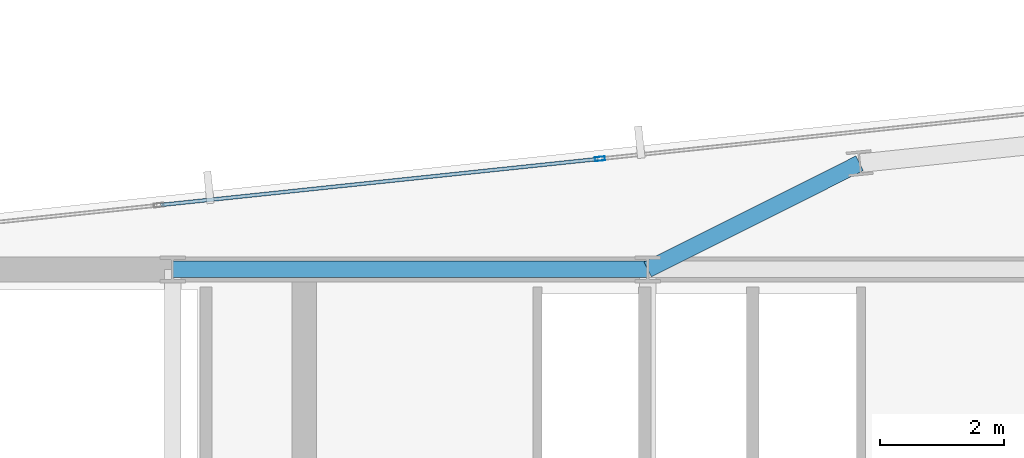
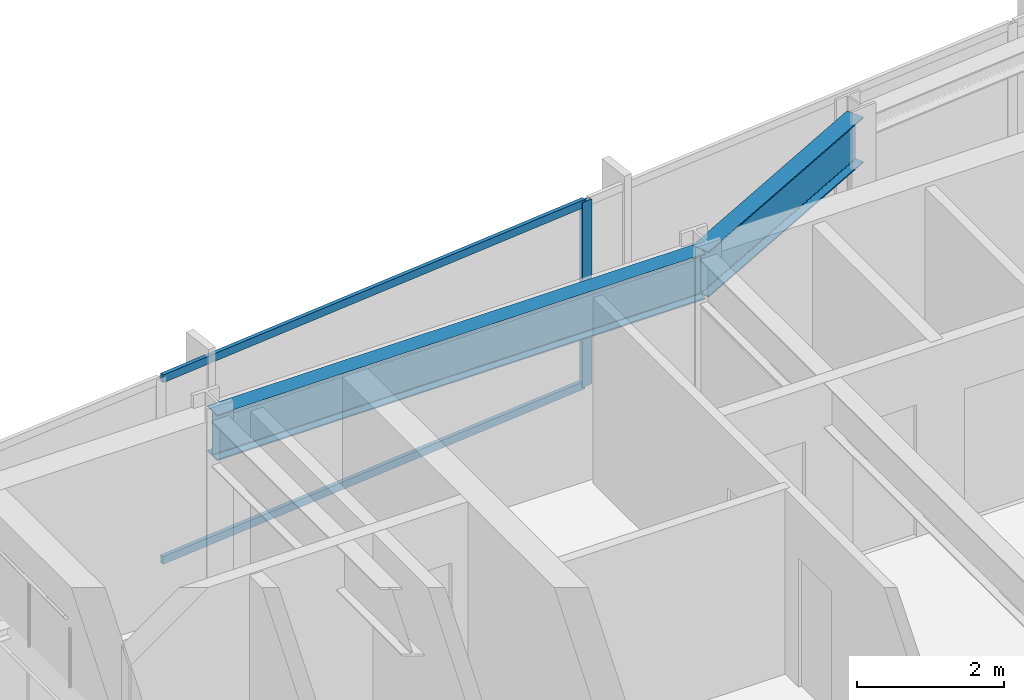
# One storey, part 21 of 33: 3 members, 2 beams, 1 element without a shape of its own.
"""IFC4 building model written with IfcOpenShell, lengths in metres."""

from ifc_helpers import new_model, si_unit, direction, frame, origin, origin_2d, place, context, subcontext, project, spatial, hollow_rectangle, i_section, extrude, material, material_profile, profile_set, type_object, element, aggregate, save


model = new_model("IFC4")

# Units and contexts
model_context = context("Model", 3, precision=1e-05, world=origin(), true_north=direction((0.0, 1.0)))
body_context = subcontext(model_context, "Body", "Model", "MODEL_VIEW")
ifc_project = project(units=[si_unit("LENGTHUNIT", "METRE"), si_unit("AREAUNIT", "SQUARE_METRE"), si_unit("VOLUMEUNIT", "CUBIC_METRE"), si_unit("PLANEANGLEUNIT", "RADIAN"), si_unit("MASSUNIT", "GRAM", prefix="KILO")], contexts=[model_context])

# Site, building, storey
site_placement = place(None, origin())
site = spatial("IfcSite", under=ifc_project, at=site_placement, CompositionType="ELEMENT")
building_placement = place(site_placement, origin())
building = spatial("IfcBuilding", under=site, at=building_placement, Name="Yelkora Congress Tower", CompositionType="ELEMENT")
storey_placement = place(building_placement, frame((0.0, 0.0, 234.199951171875)))
storey = spatial("IfcBuildingStorey", under=building, at=storey_placement, Name="L65", CompositionType="ELEMENT", Elevation=234.199951171875)

# Beams
ifc_material_1 = material(Name="Steel S355J2", Category="steel")
ifc_material_profile_1 = material_profile(ifc_material_1, i_section(OverallWidth=0.26708984375, OverallDepth=0.761962890625, WebThickness=0.014404296875, FlangeThickness=0.021484375, FilletRadius=0.01708984375, at=origin_2d()), Name="IPE 750x173")
ifc_profile_set_1 = profile_set([ifc_material_profile_1], Name="Steel S355J2")
beam_type = type_object("IfcBeamType", Name="BM-GIRD-IPE750", PredefinedType="BEAM", material=ifc_profile_set_1)
beam_1_placement = place(storey_placement, frame((30.719970703125, 46.199951171875, 2.698974609375), z_axis=(1.0, 0.0, 0.0), x_axis=(0.0, 1.0, 0.0)))
element("IfcBeam", 1, at=beam_1_placement, inside=storey, type_object=beam_type, Name="L65 Core North Girder 3", PredefinedType="BEAM", context=body_context, shape_type="SweptSolid", body=[
    extrude(i_section(OverallWidth=0.26708984375, OverallDepth=0.761962890625, WebThickness=0.014404296875, FlangeThickness=0.021484375, FilletRadius=0.01708984375, at=origin_2d()), origin(), (0.0, 0.0, 1.0), 7.679931640625),
])
beam_2_placement = place(storey_placement, frame((41.828125, 47.91748046875, 2.698974609375), z_axis=(-0.894070348256, -0.447926570288, 0.0), x_axis=(0.447926570288, -0.894070348256, 0.0)))
element("IfcBeam", 2, at=beam_2_placement, inside=storey, type_object=beam_type, Name="L65 Primary Frame Girder N04", PredefinedType="BEAM", context=body_context, shape_type="SweptSolid", body=[
    extrude(i_section(OverallWidth=0.26708984375, OverallDepth=0.761962890625, WebThickness=0.014404296875, FlangeThickness=0.021484375, FilletRadius=0.01708984375, at=origin_2d()), origin(), (0.0, 0.0, 1.0), 3.83447265625),
])

# Curtain wall, members
ifc_material_2 = material(Name="Anodised aluminium and insulated glass", Category="aluminium")
curtain_wall_type = type_object("IfcCurtainWallType", Name="CW-SYS-B4", PredefinedType="NOTDEFINED", material=ifc_material_2)
curtain_wall_placement = place(storey_placement, origin())
curtain_wall = element("IfcCurtainWall", 3, at=curtain_wall_placement, inside=storey, type_object=curtain_wall_type, Name="L65 Unitised Curtain Wall 10 (3)", PredefinedType="NOTDEFINED")
ifc_material_3 = material(Name="Anodised aluminium 6063-T6", Category="aluminium")
ifc_material_profile_2 = material_profile(ifc_material_3, hollow_rectangle(XDim=0.06494140625, YDim=0.159912109375, WallThickness=0.00390625, at=origin_2d()), Name="ALU 65x160x4")
ifc_profile_set_2 = profile_set([ifc_material_profile_2], Name="Anodised aluminium 6063-T6")
member_type_1 = type_object("IfcMemberType", Name="MEM-ML-B4", PredefinedType="MULLION", material=ifc_profile_set_2)
member_1_placement = place(storey_placement, frame((37.62744140625, 47.98876953125, 0.0), z_axis=(0.0, 0.0, 1.0), x_axis=(-0.104527724021, 0.994521973066, 0.0)))
member_1 = element("IfcMember", 4, at=member_1_placement, type_object=member_type_1, Name="CW-B4 mullion 3", PredefinedType="MULLION", context=body_context, shape_type="SweptSolid", body=[
    extrude(hollow_rectangle(XDim=0.06494140625, YDim=0.159912109375, WallThickness=0.00390625, at=origin_2d()), origin(), (0.0, 0.0, 1.0), 3.080078125),
])
ifc_material_profile_3 = material_profile(ifc_material_3, hollow_rectangle(XDim=0.06005859375, YDim=0.1298828125, WallThickness=0.00390625, at=origin_2d()), Name="ALU 60x130x4")
ifc_profile_set_3 = profile_set([ifc_material_profile_3], Name="Anodised aluminium 6063-T6")
member_type_2 = type_object("IfcMemberType", Name="MEM-TR-B4", PredefinedType="USERDEFINED", material=ifc_profile_set_3)
member_2_placement = place(storey_placement, frame((30.529052734375, 47.24267578125, 0.030029296875), z_axis=(0.99452200925, 0.104527379751, 0.0), x_axis=(-0.104527379751, 0.99452200925, 0.0)))
member_2 = element("IfcMember", 5, at=member_2_placement, type_object=member_type_2, Name="CW-B4 transom 2.1", ObjectType="TRANSOM", PredefinedType="USERDEFINED", context=body_context, shape_type="SweptSolid", body=[
    extrude(hollow_rectangle(XDim=0.06005859375, YDim=0.1298828125, WallThickness=0.00390625, at=origin_2d()), origin(), (0.0, 0.0, 1.0), 7.10498046875),
])
member_3_placement = place(storey_placement, frame((30.529052734375, 47.24267578125, 3.050048828125), z_axis=(0.99452200925, 0.104527379751, 0.0), x_axis=(-0.104527379751, 0.99452200925, 0.0)))
member_3 = element("IfcMember", 6, at=member_3_placement, type_object=member_type_2, Name="CW-B4 transom 2.2", ObjectType="TRANSOM", PredefinedType="USERDEFINED", context=body_context, shape_type="SweptSolid", body=[
    extrude(hollow_rectangle(XDim=0.06005859375, YDim=0.1298828125, WallThickness=0.00390625, at=origin_2d()), origin(), (0.0, 0.0, 1.0), 7.10498046875),
])
aggregate(curtain_wall, [member_1, member_2, member_3])

save(model, "model.ifc")
